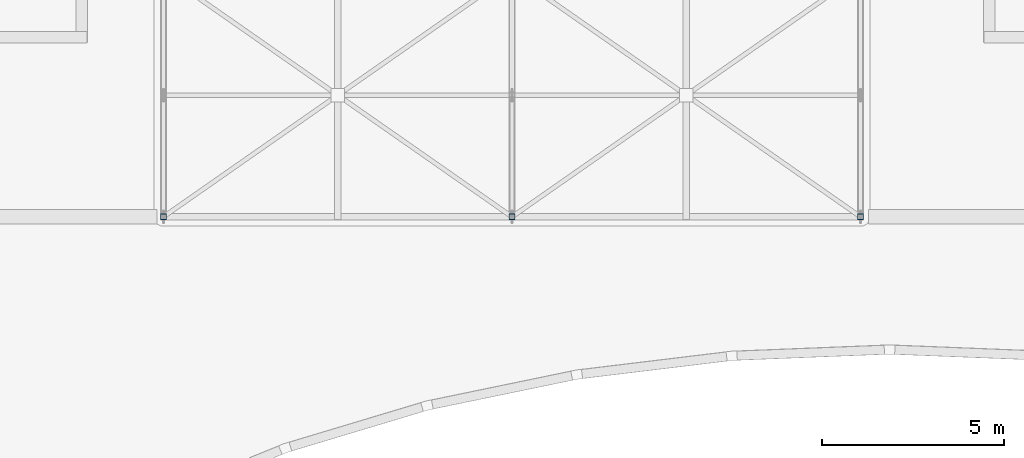
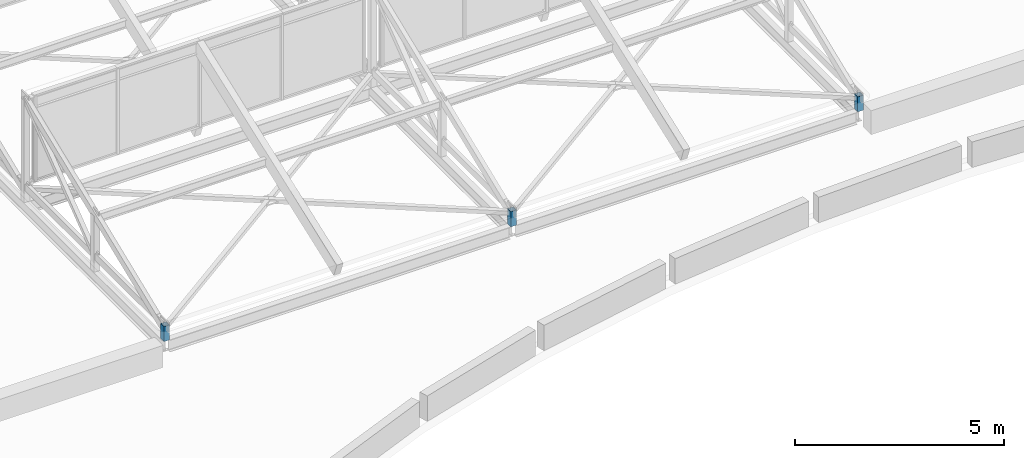
# One storey, part 23 of 40: 3 members.
"""IFC4 building model written with IfcOpenShell, lengths in metres."""

from ifc_helpers import new_model, si_unit, direction, frame, origin, origin_2d, place, context, subcontext, project, spatial, hollow_rectangle, extrude, material, material_profile, profile_set, type_object, element, save


model = new_model("IFC4")

# Units and contexts
model_context = context("Model", 3, precision=1e-05, world=origin(), true_north=direction((0.0, 1.0)))
body_context = subcontext(model_context, "Body", "Model", "MODEL_VIEW")
ifc_project = project(units=[si_unit("LENGTHUNIT", "METRE"), si_unit("AREAUNIT", "SQUARE_METRE"), si_unit("VOLUMEUNIT", "CUBIC_METRE"), si_unit("PLANEANGLEUNIT", "RADIAN"), si_unit("MASSUNIT", "GRAM", prefix="KILO")], contexts=[model_context])

# Site, building, storey
site_placement = place(None, origin())
site = spatial("IfcSite", under=ifc_project, at=site_placement, CompositionType="ELEMENT")
building_placement = place(site_placement, origin())
building = spatial("IfcBuilding", under=site, at=building_placement, Name="Mzevani Central Library", CompositionType="ELEMENT")
storey_placement = place(building_placement, frame((0.0, 0.0, 26.699951171875)))
storey = spatial("IfcBuildingStorey", under=building, at=storey_placement, Name="RF", CompositionType="ELEMENT", Elevation=26.699951171875)

# Members
ifc_material = material(Name="Steel S355J2", Category="steel")
ifc_material_profile = material_profile(ifc_material, hollow_rectangle(XDim=0.159912109375, YDim=0.159912109375, WallThickness=0.010009765625, at=origin_2d()), Name="SHS 160x160x10.0")
ifc_profile_set = profile_set([ifc_material_profile], Name="Steel S355J2")
member_type = type_object("IfcMemberType", Name="Truss Vertical Post SHS 160x160", PredefinedType="POST", material=ifc_profile_set)
for number, where, z_axis, x_axis, name in (
    (1, (64.0, 100.0, -4.4599609375), (0.0, 0.0, 1.0), (1.0, 0.0, 0.0), "RF Sawtooth Valley Post 1.1"),
    (2, (73.60009765625, 100.0, -4.4599609375), (0.0, 0.0, 1.0), (1.0, 0.0, 0.0), "RF Sawtooth Valley Post 1.2"),
    (3, (83.199951171875, 100.0, -4.4599609375), (0.0, 0.0, 1.0), (1.0, 0.0, 0.0), "RF Sawtooth Valley Post 1.3"),
):
    element("IfcMember", number, at=place(storey_placement, frame(where, z_axis=z_axis, x_axis=x_axis)), inside=storey, type_object=member_type, Name=name, PredefinedType="POST", context=body_context, shape_type="SweptSolid", body=[
        extrude(hollow_rectangle(XDim=0.159912109375, YDim=0.159912109375, WallThickness=0.010009765625, at=origin_2d()), origin(), (0.0, 0.0, 1.0), 0.43994140625),
    ])

save(model, "model.ifc")
